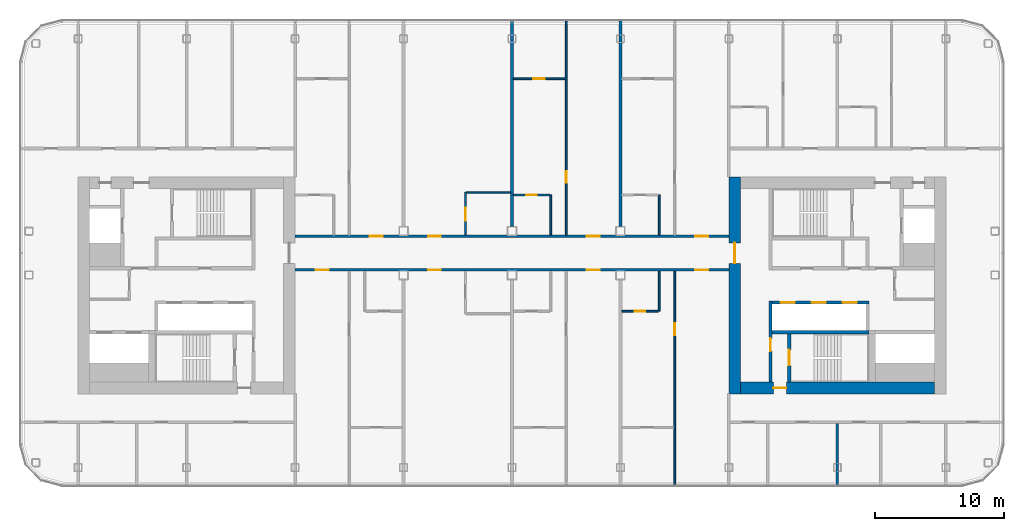
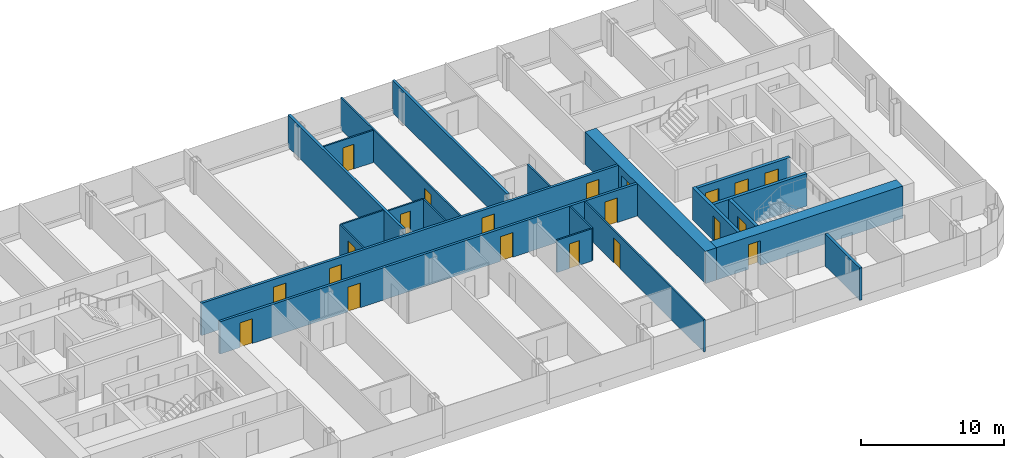
# One storey, part 15 of 26: 21 doors, 21 walls, 21 openings.
"""IFC4 building model written with IfcOpenShell, lengths in metres."""

from ifc_helpers import new_model, si_unit, direction, frame, frame_2d, origin, place, context, subcontext, project, spatial, rectangle, extrude, material, layer, layer_set, type_object, element, fill, save


model = new_model("IFC4")

# Units and contexts
model_context = context("Model", 3, precision=1e-05, world=origin(), true_north=direction((0.0, 1.0)))
body_context = subcontext(model_context, "Body", "Model", "MODEL_VIEW")
ifc_project = project(units=[si_unit("LENGTHUNIT", "METRE"), si_unit("AREAUNIT", "SQUARE_METRE"), si_unit("VOLUMEUNIT", "CUBIC_METRE"), si_unit("PLANEANGLEUNIT", "RADIAN"), si_unit("MASSUNIT", "GRAM", prefix="KILO")], contexts=[model_context])

# Site, building, storey
site_placement = place(None, origin())
site = spatial("IfcSite", under=ifc_project, at=site_placement, CompositionType="ELEMENT")
building_placement = place(site_placement, origin())
building = spatial("IfcBuilding", under=site, at=building_placement, Name="Hakoniwa Tower and Hamabe Station Hall", CompositionType="ELEMENT")
storey_placement = place(building_placement, frame((0.0, 0.0, 199.39990234375)))
storey = spatial("IfcBuildingStorey", under=building, at=storey_placement, Name="L56", CompositionType="ELEMENT", Elevation=199.39990234375)

# Wall, opening, door
ifc_material_1 = material(Name="Gypsum board partition", Category="gypsum")
ifc_layer_1 = layer(ifc_material_1, 0.125)
ifc_layer_set_1 = layer_set([ifc_layer_1], Name="Bathroom Partition 125")
wall_type_1 = type_object("IfcWallType", Name="Bathroom Partition 125", PredefinedType="PARTITIONING", material=ifc_layer_set_1)
wall_1_placement = place(storey_placement, frame((8.5, -2.0, 0.0), z_axis=(0.0, 0.0, 1.0), x_axis=(1.0, 0.0, 0.0)))
wall_1 = element("IfcWall", 1, at=wall_1_placement, inside=storey, type_object=wall_type_1, Name="GW-L56-009", PredefinedType="PARTITIONING", context=body_context, shape_type="SweptSolid", body=[
    extrude(rectangle(XDim=2.83740234375, YDim=0.125, at=frame_2d((1.418701171875, 0.0))), origin(), (0.0, 0.0, 1.0), 2.75),
])
opening_1_placement = place(wall_1_placement, frame((1.0, 0.0, 0.0)))
opening_1 = element("IfcOpeningElement", 2, at=opening_1_placement, cuts=wall_1, Name="Opening GD-G4E0-15", PredefinedType="OPENING", context=body_context, shape_type="SweptSolid", body=[
    extrude(rectangle(XDim=0.800048828125, YDim=2.10009765625, at=frame_2d((0.39990234375, 1.050048828125))), frame((0.0, 0.072509765625, 0.0), z_axis=(0.0, -1.0, 0.0), x_axis=(1.0, 0.0, 0.0)), (0.0, 0.0, 1.0), 0.14501953125),
])
ifc_material_2 = material(Name="Timber door leaf", Category="wood")
door_type_1 = type_object("IfcDoorType", Name="Bathroom Door 800", OperationType="SINGLE_SWING_LEFT", PredefinedType="DOOR", material=ifc_material_2)
door_1_placement = place(opening_1_placement, origin())
door_1 = element("IfcDoor", 3, at=door_1_placement, inside=storey, type_object=door_type_1, Name="Door GD-G4E0-15", OperationType="SINGLE_SWING_RIGHT", OverallHeight=2.10009765625, OverallWidth=0.800048828125, PredefinedType="DOOR", context=body_context, shape_type="SweptSolid", body=[
    extrude(rectangle(XDim=0.800048828125, YDim=2.10009765625, at=frame_2d((0.39990234375, 1.050048828125))), frame((0.0, 0.02490234375, 0.0), z_axis=(0.0, -1.0, 0.0), x_axis=(1.0, 0.0, 0.0)), (0.0, 0.0, 1.0), 0.050048828125),
])
fill(opening_1, door_1)

wall_2_placement = place(storey_placement, frame((0.10009765625, 7.0, 0.0), z_axis=(0.0, 0.0, 1.0), x_axis=(1.0, 0.0, 0.0)))
wall_2 = element("IfcWall", 4, at=wall_2_placement, inside=storey, type_object=wall_type_1, Name="GW-L56-013", PredefinedType="PARTITIONING", context=body_context, shape_type="SweptSolid", body=[
    extrude(rectangle(XDim=2.83740234375, YDim=0.125, at=frame_2d((1.418701171875, 0.0))), origin(), (0.0, 0.0, 1.0), 2.75),
])
opening_2_placement = place(wall_2_placement, frame((1.0, 0.0, 0.0)))
opening_2 = element("IfcOpeningElement", 5, at=opening_2_placement, cuts=wall_2, Name="Opening GD-G4E0-25", PredefinedType="OPENING", context=body_context, shape_type="SweptSolid", body=[
    extrude(rectangle(XDim=0.800048828125, YDim=2.10009765625, at=frame_2d((0.39990234375, 1.050048828125))), frame((0.0, 0.072509765625, 0.0), z_axis=(0.0, -1.0, 0.0), x_axis=(1.0, 0.0, 0.0)), (0.0, 0.0, 1.0), 0.14501953125),
])
door_2_placement = place(opening_2_placement, origin())
door_2 = element("IfcDoor", 6, at=door_2_placement, inside=storey, type_object=door_type_1, Name="Door GD-G4E0-25", OperationType="SINGLE_SWING_RIGHT", OverallHeight=2.10009765625, OverallWidth=0.800048828125, PredefinedType="DOOR", context=body_context, shape_type="SweptSolid", body=[
    extrude(rectangle(XDim=0.800048828125, YDim=2.10009765625, at=frame_2d((0.39990234375, 1.050048828125))), frame((0.0, 0.02490234375, 0.0), z_axis=(0.0, -1.0, 0.0), x_axis=(1.0, 0.0, 0.0)), (0.0, 0.0, 1.0), 0.050048828125),
])
fill(opening_2, door_2)

# Wall
wall_3_placement = place(storey_placement, frame((-3.53759765625, 7.199951171875, 0.0), z_axis=(0.0, 0.0, 1.0), x_axis=(1.0, 0.0, 0.0)))
element("IfcWall", 7, at=wall_3_placement, inside=storey, type_object=wall_type_1, Name="GW-L56-015", PredefinedType="PARTITIONING", context=body_context, shape_type="SweptSolid", body=[
    extrude(rectangle(XDim=3.4375, YDim=0.125, at=frame_2d((1.71875, 0.0))), origin(), (0.0, 0.0, 1.0), 2.75),
])

# Wall, opening, door
wall_4_placement = place(storey_placement, frame((-3.60009765625, 3.89990234375, 0.0), z_axis=(0.0, 0.0, 1.0), x_axis=(0.0, 1.0, 0.0)))
wall_4 = element("IfcWall", 8, at=wall_4_placement, inside=storey, type_object=wall_type_1, Name="GW-L56-039", PredefinedType="PARTITIONING", context=body_context, shape_type="SweptSolid", body=[
    extrude(rectangle(XDim=3.300048828125, YDim=0.125, at=frame_2d((1.64990234375, 0.0))), origin(), (0.0, 0.0, 1.0), 2.75),
])
opening_3_placement = place(wall_4_placement, frame((1.10009765625, 0.0, 0.0)))
opening_3 = element("IfcOpeningElement", 9, at=opening_3_placement, cuts=wall_4, Name="Opening GD-G4E0-43", PredefinedType="OPENING", context=body_context, shape_type="SweptSolid", body=[
    extrude(rectangle(XDim=1.0, YDim=2.10009765625, at=frame_2d((0.5, 1.050048828125))), frame((0.0, 0.072509765625, 0.0), z_axis=(0.0, -1.0, 0.0), x_axis=(1.0, 0.0, 0.0)), (0.0, 0.0, 1.0), 0.14501953125),
])
ifc_material_3 = material(Name="Timber door leaf", Category="wood")
door_type_2 = type_object("IfcDoorType", Name="Accessible Bathroom Door 1000", OperationType="SINGLE_SWING_LEFT", PredefinedType="DOOR", material=ifc_material_3)
door_3_placement = place(opening_3_placement, origin())
door_3 = element("IfcDoor", 10, at=door_3_placement, inside=storey, type_object=door_type_2, Name="Door GD-G4E0-43", OperationType="SINGLE_SWING_RIGHT", OverallHeight=2.10009765625, OverallWidth=1.0, PredefinedType="DOOR", context=body_context, shape_type="SweptSolid", body=[
    extrude(rectangle(XDim=1.0, YDim=2.10009765625, at=frame_2d((0.5, 1.050048828125))), frame((0.0, 0.02490234375, 0.0), z_axis=(0.0, -1.0, 0.0), x_axis=(1.0, 0.0, 0.0)), (0.0, 0.0, 1.0), 0.050048828125),
])
fill(opening_3, door_3)

# Walls
for number, where, z_axis, x_axis, name in (
    (11, (3.0, 3.89990234375, 0.0), (0.0, 0.0, 1.0), (0.0, 1.0, 0.0), "GW-L56-043"),
    (12, (11.39990234375, -2.0, 0.0), (0.0, 0.0, 1.0), (0.0, 1.0, 0.0), "GW-L56-048"),
    (13, (11.39990234375, 3.89990234375, 0.0), (0.0, 0.0, 1.0), (0.0, 1.0, 0.0), "GW-L56-049"),
):
    element("IfcWall", number, at=place(storey_placement, frame(where, z_axis=z_axis, x_axis=x_axis)), inside=storey, type_object=wall_type_1, Name=name, PredefinedType="PARTITIONING", context=body_context, shape_type="SweptSolid", body=[
        extrude(rectangle(XDim=3.10009765625, YDim=0.125, at=frame_2d((1.550048828125, 0.0))), origin(), (0.0, 0.0, 1.0), 2.75),
    ])

# Wall, opening, door
ifc_material_4 = material(Name="Concrete C60", Category="concrete")
ifc_layer_2 = layer(ifc_material_4, 0.89990234375)
ifc_layer_set_2 = layer_set([ifc_layer_2], Name="CORE WALL 900 C60")
wall_type_2 = type_object("IfcWallType", Name="CORE WALL 900 C60", PredefinedType="SHEAR", material=ifc_layer_set_2)
wall_5_placement = place(storey_placement, frame((17.25, -8.39990234375, 0.0), z_axis=(0.0, 0.0, 1.0), x_axis=(0.0, 1.0, 0.0)))
wall_5 = element("IfcWall", 14, at=wall_5_placement, inside=storey, type_object=wall_type_2, Name="Core wall INNER east", PredefinedType="SHEAR", context=body_context, shape_type="SweptSolid", body=[
    extrude(rectangle(XDim=16.7998046875, YDim=0.89990234375, at=frame_2d((8.39990234375, 0.0))), origin(), (0.0, 0.0, 1.0), 2.75),
])
opening_4_placement = place(wall_5_placement, frame((10.10009765625, 0.0, 0.0)))
opening_4 = element("IfcOpeningElement", 15, at=opening_4_placement, cuts=wall_5, Name="Opening CD-E-IN1-16", PredefinedType="OPENING", context=body_context, shape_type="SweptSolid", body=[
    extrude(rectangle(XDim=1.60009765625, YDim=2.10009765625, at=frame_2d((0.800048828125, 1.050048828125))), frame((0.0, 0.4599609375, 0.0), z_axis=(0.0, -1.0, 0.0), x_axis=(1.0, 0.0, 0.0)), (0.0, 0.0, 1.0), 0.919921875),
])
ifc_material_5 = material(Name="Steel fire door", Category="steel")
door_type_3 = type_object("IfcDoorType", Name="CORE DOOR 1600 FD60", OperationType="DOUBLE_DOOR_SINGLE_SWING", PredefinedType="DOOR", material=ifc_material_5)
door_4_placement = place(opening_4_placement, origin())
door_4 = element("IfcDoor", 16, at=door_4_placement, inside=storey, type_object=door_type_3, Name="Lift lobby door", OperationType="DOUBLE_DOOR_SINGLE_SWING", OverallHeight=2.10009765625, OverallWidth=1.60009765625, PredefinedType="DOOR", context=body_context, shape_type="SweptSolid", body=[
    extrude(rectangle(XDim=1.60009765625, YDim=2.10009765625, at=frame_2d((0.800048828125, 1.050048828125))), frame((0.0, 0.02490234375, 0.0), z_axis=(0.0, -1.0, 0.0), x_axis=(1.0, 0.0, 0.0)), (0.0, 0.0, 1.0), 0.050048828125),
])
fill(opening_4, door_4)

wall_6_placement = place(storey_placement, frame((17.699951171875, -7.949951171875, 0.0), z_axis=(0.0, 0.0, 1.0), x_axis=(1.0, 0.0, 0.0)))
wall_6 = element("IfcWall", 17, at=wall_6_placement, inside=storey, type_object=wall_type_2, Name="Core wall SOUTH east", PredefinedType="SHEAR", context=body_context, shape_type="SweptSolid", body=[
    extrude(rectangle(XDim=15.0, YDim=0.89990234375, at=frame_2d((7.5, 0.0))), origin(), (0.0, 0.0, 1.0), 2.75),
])
opening_5_placement = place(wall_6_placement, frame((2.550048828125, 0.0, 0.0)))
opening_5 = element("IfcOpeningElement", 18, at=opening_5_placement, cuts=wall_6, Name="Opening CD-E-FS3-10", PredefinedType="OPENING", context=body_context, shape_type="SweptSolid", body=[
    extrude(rectangle(XDim=1.0, YDim=2.10009765625, at=frame_2d((0.5, 1.050048828125))), frame((0.0, 0.4599609375, 0.0), z_axis=(0.0, -1.0, 0.0), x_axis=(1.0, 0.0, 0.0)), (0.0, 0.0, 1.0), 0.919921875),
])
ifc_material_6 = material(Name="Steel fire door", Category="steel")
door_type_4 = type_object("IfcDoorType", Name="CORE DOOR 1000 FD60", OperationType="NOTDEFINED", PredefinedType="DOOR", material=ifc_material_6)
door_5_placement = place(opening_5_placement, origin())
door_5 = element("IfcDoor", 19, at=door_5_placement, inside=storey, type_object=door_type_4, Name="Stair vestibule door", OperationType="SINGLE_SWING_RIGHT", OverallHeight=2.10009765625, OverallWidth=1.0, PredefinedType="DOOR", context=body_context, shape_type="SweptSolid", body=[
    extrude(rectangle(XDim=1.0, YDim=2.10009765625, at=frame_2d((0.5, 1.050048828125))), frame((0.0, 0.02490234375, 0.0), z_axis=(0.0, -1.0, 0.0), x_axis=(1.0, 0.0, 0.0)), (0.0, 0.0, 1.0), 0.050048828125),
])
fill(opening_5, door_5)

ifc_material_7 = material(Name="Concrete C60", Category="concrete")
ifc_layer_3 = layer(ifc_material_7, 0.25)
ifc_layer_set_3 = layer_set([ifc_layer_3], Name="CORE WEB WALL 250 C60")
wall_type_3 = type_object("IfcWallType", Name="CORE WEB WALL 250 C60", PredefinedType="SHEAR", material=ifc_layer_set_3)
wall_7_placement = place(storey_placement, frame((20.02490234375, -7.5, 0.0), z_axis=(0.0, 0.0, 1.0), x_axis=(0.0, 1.0, 0.0)))
wall_7 = element("IfcWall", 20, at=wall_7_placement, inside=storey, type_object=wall_type_3, Name="Core wall W1S east", PredefinedType="SHEAR", context=body_context, shape_type="SweptSolid", body=[
    extrude(rectangle(XDim=6.300048828125, YDim=0.25, at=frame_2d((3.14990234375, 0.0))), origin(), (0.0, 0.0, 1.0), 2.75),
])
opening_6_placement = place(wall_7_placement, frame((2.39990234375, 0.0, 0.0)))
opening_6 = element("IfcOpeningElement", 21, at=opening_6_placement, cuts=wall_7, Name="Opening CD-E-VS-10", PredefinedType="OPENING", context=body_context, shape_type="SweptSolid", body=[
    extrude(rectangle(XDim=1.0, YDim=2.10009765625, at=frame_2d((0.5, 1.050048828125))), frame((0.0, 0.135009765625, 0.0), z_axis=(0.0, -1.0, 0.0), x_axis=(1.0, 0.0, 0.0)), (0.0, 0.0, 1.0), 0.27001953125),
])
door_6_placement = place(opening_6_placement, origin())
door_6 = element("IfcDoor", 22, at=door_6_placement, inside=storey, type_object=door_type_4, Name="Stair vestibule door", OperationType="SINGLE_SWING_RIGHT", OverallHeight=2.10009765625, OverallWidth=1.0, PredefinedType="DOOR", context=body_context, shape_type="SweptSolid", body=[
    extrude(rectangle(XDim=1.0, YDim=2.10009765625, at=frame_2d((0.5, 1.050048828125))), frame((0.0, 0.02490234375, 0.0), z_axis=(0.0, -1.0, 0.0), x_axis=(1.0, 0.0, 0.0)), (0.0, 0.0, 1.0), 0.050048828125),
])
fill(opening_6, door_6)

# Wall, openings, doors
wall_8_placement = place(storey_placement, frame((20.14990234375, -1.324951171875, 0.0), z_axis=(0.0, 0.0, 1.0), x_axis=(1.0, 0.0, 0.0)))
wall_8 = element("IfcWall", 23, at=wall_8_placement, inside=storey, type_object=wall_type_3, Name="Core wall SF east", PredefinedType="SHEAR", context=body_context, shape_type="SweptSolid", body=[
    extrude(rectangle(XDim=7.5, YDim=0.25, at=frame_2d((3.75, 0.0))), origin(), (0.0, 0.0, 1.0), 2.75),
])
opening_7_placement = place(wall_8_placement, frame((0.64990234375, 0.0, 0.0)))
opening_7 = element("IfcOpeningElement", 24, at=opening_7_placement, cuts=wall_8, Name="Opening LD-HR4", PredefinedType="OPENING", context=body_context, shape_type="SweptSolid", body=[
    extrude(rectangle(XDim=1.10009765625, YDim=2.10009765625, at=frame_2d((0.550048828125, 1.050048828125))), frame((0.0, 0.135009765625, 0.0), z_axis=(0.0, -1.0, 0.0), x_axis=(1.0, 0.0, 0.0)), (0.0, 0.0, 1.0), 0.27001953125),
])
opening_8_placement = place(wall_8_placement, frame((3.050048828125, 0.0, 0.0)))
opening_8 = element("IfcOpeningElement", 25, at=opening_8_placement, cuts=wall_8, Name="Opening LD-HR5", PredefinedType="OPENING", context=body_context, shape_type="SweptSolid", body=[
    extrude(rectangle(XDim=1.10009765625, YDim=2.10009765625, at=frame_2d((0.550048828125, 1.050048828125))), frame((0.0, 0.135009765625, 0.0), z_axis=(0.0, -1.0, 0.0), x_axis=(1.0, 0.0, 0.0)), (0.0, 0.0, 1.0), 0.27001953125),
])
opening_9_placement = place(wall_8_placement, frame((5.449951171875, 0.0, 0.0)))
opening_9 = element("IfcOpeningElement", 26, at=opening_9_placement, cuts=wall_8, Name="Opening LD-HR6", PredefinedType="OPENING", context=body_context, shape_type="SweptSolid", body=[
    extrude(rectangle(XDim=1.10009765625, YDim=2.10009765625, at=frame_2d((0.550048828125, 1.050048828125))), frame((0.0, 0.135009765625, 0.0), z_axis=(0.0, -1.0, 0.0), x_axis=(1.0, 0.0, 0.0)), (0.0, 0.0, 1.0), 0.27001953125),
])
ifc_material_8 = material(Name="Stainless steel SUS304", Category="steel")
door_type_5 = type_object("IfcDoorType", Name="LIFT LANDING DOOR 1100 FD60", OperationType="DOUBLE_DOOR_SLIDING", PredefinedType="DOOR", material=ifc_material_8)
door_7_placement = place(opening_7_placement, origin())
door_7 = element("IfcDoor", 27, at=door_7_placement, inside=storey, type_object=door_type_5, Name="Lift landing door HR4 L56", OperationType="DOUBLE_DOOR_SLIDING", OverallHeight=2.10009765625, OverallWidth=1.10009765625, PredefinedType="DOOR", context=body_context, shape_type="SweptSolid", body=[
    extrude(rectangle(XDim=1.10009765625, YDim=2.10009765625, at=frame_2d((0.550048828125, 1.050048828125))), frame((0.0, 0.02490234375, 0.0), z_axis=(0.0, -1.0, 0.0), x_axis=(1.0, 0.0, 0.0)), (0.0, 0.0, 1.0), 0.050048828125),
])
fill(opening_7, door_7)
door_8_placement = place(opening_8_placement, origin())
door_8 = element("IfcDoor", 28, at=door_8_placement, inside=storey, type_object=door_type_5, Name="Lift landing door HR5 L56", OperationType="DOUBLE_DOOR_SLIDING", OverallHeight=2.10009765625, OverallWidth=1.10009765625, PredefinedType="DOOR", context=body_context, shape_type="SweptSolid", body=[
    extrude(rectangle(XDim=1.10009765625, YDim=2.10009765625, at=frame_2d((0.550048828125, 1.050048828125))), frame((0.0, 0.02490234375, 0.0), z_axis=(0.0, -1.0, 0.0), x_axis=(1.0, 0.0, 0.0)), (0.0, 0.0, 1.0), 0.050048828125),
])
fill(opening_8, door_8)
door_9_placement = place(opening_9_placement, origin())
door_9 = element("IfcDoor", 29, at=door_9_placement, inside=storey, type_object=door_type_5, Name="Lift landing door HR6 L56", OperationType="DOUBLE_DOOR_SLIDING", OverallHeight=2.10009765625, OverallWidth=1.10009765625, PredefinedType="DOOR", context=body_context, shape_type="SweptSolid", body=[
    extrude(rectangle(XDim=1.10009765625, YDim=2.10009765625, at=frame_2d((0.550048828125, 1.050048828125))), frame((0.0, 0.02490234375, 0.0), z_axis=(0.0, -1.0, 0.0), x_axis=(1.0, 0.0, 0.0)), (0.0, 0.0, 1.0), 0.050048828125),
])
fill(opening_9, door_9)

# Wall
wall_9_placement = place(storey_placement, frame((20.14990234375, -3.625, 0.0), z_axis=(0.0, 0.0, 1.0), x_axis=(1.0, 0.0, 0.0)))
element("IfcWall", 30, at=wall_9_placement, inside=storey, type_object=wall_type_3, Name="Core wall SR east", PredefinedType="SHEAR", context=body_context, shape_type="SweptSolid", body=[
    extrude(rectangle(XDim=7.5, YDim=0.25, at=frame_2d((3.75, 0.0))), origin(), (0.0, 0.0, 1.0), 2.75),
])

# Wall, opening, door
wall_10_placement = place(storey_placement, frame((21.47509765625, -7.5, 0.0), z_axis=(0.0, 0.0, 1.0), x_axis=(0.0, 1.0, 0.0)))
wall_10 = element("IfcWall", 31, at=wall_10_placement, inside=storey, type_object=wall_type_3, Name="Core wall VE east", PredefinedType="SHEAR", context=body_context, shape_type="SweptSolid", body=[
    extrude(rectangle(XDim=3.75, YDim=0.25, at=frame_2d((1.875, 0.0))), origin(), (0.0, 0.0, 1.0), 2.75),
])
opening_10_placement = place(wall_10_placement, frame((1.300048828125, 0.0, 0.0)))
opening_10 = element("IfcOpeningElement", 32, at=opening_10_placement, cuts=wall_10, Name="Opening CD-E-SS-12", PredefinedType="OPENING", context=body_context, shape_type="SweptSolid", body=[
    extrude(rectangle(XDim=1.199951171875, YDim=2.10009765625, at=frame_2d((0.60009765625, 1.050048828125))), frame((0.0, 0.135009765625, 0.0), z_axis=(0.0, -1.0, 0.0), x_axis=(1.0, 0.0, 0.0)), (0.0, 0.0, 1.0), 0.27001953125),
])
ifc_material_9 = material(Name="Steel fire door", Category="steel")
door_type_6 = type_object("IfcDoorType", Name="CORE DOOR 1200 FD60", OperationType="DOUBLE_DOOR_SINGLE_SWING", PredefinedType="DOOR", material=ifc_material_9)
door_10_placement = place(opening_10_placement, origin())
door_10 = element("IfcDoor", 33, at=door_10_placement, inside=storey, type_object=door_type_6, Name="Escape stair door", OperationType="DOUBLE_DOOR_SINGLE_SWING", OverallHeight=2.10009765625, OverallWidth=1.199951171875, PredefinedType="DOOR", context=body_context, shape_type="SweptSolid", body=[
    extrude(rectangle(XDim=1.199951171875, YDim=2.10009765625, at=frame_2d((0.60009765625, 1.050048828125))), frame((0.0, 0.02490234375, 0.0), z_axis=(0.0, -1.0, 0.0), x_axis=(1.0, 0.0, 0.0)), (0.0, 0.0, 1.0), 0.050048828125),
])
fill(opening_10, door_10)

# Wall, openings, doors
ifc_material_10 = material(Name="Fire-rated gypsum board partition", Category="gypsum")
ifc_layer_4 = layer(ifc_material_10, 0.199951171875)
ifc_layer_set_4 = layer_set([ifc_layer_4], Name="Corridor Wall 200")
wall_type_4 = type_object("IfcWallType", Name="Corridor Wall 200", PredefinedType="PARTITIONING", material=ifc_layer_set_4)
wall_11_placement = place(storey_placement, frame((-16.800048828125, 1.199951171875, 0.0), z_axis=(0.0, 0.0, 1.0), x_axis=(1.0, 0.0, 0.0)))
wall_11 = element("IfcWall", 34, at=wall_11_placement, inside=storey, type_object=wall_type_4, Name="GW-L56-010", PredefinedType="PARTITIONING", context=body_context, shape_type="SweptSolid", body=[
    extrude(rectangle(XDim=33.60009765625, YDim=0.199951171875, at=frame_2d((16.800048828125, 0.0))), origin(), (0.0, 0.0, 1.0), 2.75),
])
opening_11_placement = place(wall_11_placement, frame((1.60009765625, 0.0, 0.0)))
opening_11 = element("IfcOpeningElement", 35, at=opening_11_placement, cuts=wall_11, Name="Opening GD-G4E0-16", PredefinedType="OPENING", context=body_context, shape_type="SweptSolid", body=[
    extrude(rectangle(XDim=1.0, YDim=2.10009765625, at=frame_2d((0.5, 1.050048828125))), frame((0.0, 0.10986328125, 0.0), z_axis=(0.0, -1.0, 0.0), x_axis=(1.0, 0.0, 0.0)), (0.0, 0.0, 1.0), 0.219970703125),
])
opening_12_placement = place(wall_11_placement, frame((10.300048828125, 0.0, 0.0)))
opening_12 = element("IfcOpeningElement", 36, at=opening_12_placement, cuts=wall_11, Name="Opening GD-G4E0-17", PredefinedType="OPENING", context=body_context, shape_type="SweptSolid", body=[
    extrude(rectangle(XDim=1.0, YDim=2.10009765625, at=frame_2d((0.5, 1.050048828125))), frame((0.0, 0.10986328125, 0.0), z_axis=(0.0, -1.0, 0.0), x_axis=(1.0, 0.0, 0.0)), (0.0, 0.0, 1.0), 0.219970703125),
])
opening_13_placement = place(wall_11_placement, frame((22.60009765625, 0.0, 0.0)))
opening_13 = element("IfcOpeningElement", 37, at=opening_13_placement, cuts=wall_11, Name="Opening GD-G4E0-18", PredefinedType="OPENING", context=body_context, shape_type="SweptSolid", body=[
    extrude(rectangle(XDim=1.0, YDim=2.10009765625, at=frame_2d((0.5, 1.050048828125))), frame((0.0, 0.10986328125, 0.0), z_axis=(0.0, -1.0, 0.0), x_axis=(1.0, 0.0, 0.0)), (0.0, 0.0, 1.0), 0.219970703125),
])
opening_14_placement = place(wall_11_placement, frame((31.0, 0.0, 0.0)))
opening_14 = element("IfcOpeningElement", 38, at=opening_14_placement, cuts=wall_11, Name="Opening GD-G4E0-19", PredefinedType="OPENING", context=body_context, shape_type="SweptSolid", body=[
    extrude(rectangle(XDim=1.0, YDim=2.10009765625, at=frame_2d((0.5, 1.050048828125))), frame((0.0, 0.10986328125, 0.0), z_axis=(0.0, -1.0, 0.0), x_axis=(1.0, 0.0, 0.0)), (0.0, 0.0, 1.0), 0.219970703125),
])
ifc_material_11 = material(Name="Timber door leaf", Category="wood")
door_type_7 = type_object("IfcDoorType", Name="Accessible Guest Entrance Door 1000", OperationType="SINGLE_SWING_LEFT", PredefinedType="DOOR", material=ifc_material_11)
door_11_placement = place(opening_12_placement, origin())
door_11 = element("IfcDoor", 39, at=door_11_placement, inside=storey, type_object=door_type_7, Name="Door GD-G4E0-17", OperationType="SINGLE_SWING_LEFT", OverallHeight=2.10009765625, OverallWidth=1.0, PredefinedType="DOOR", context=body_context, shape_type="SweptSolid", body=[
    extrude(rectangle(XDim=1.0, YDim=2.10009765625, at=frame_2d((0.5, 1.050048828125))), frame((0.0, 0.02490234375, 0.0), z_axis=(0.0, -1.0, 0.0), x_axis=(1.0, 0.0, 0.0)), (0.0, 0.0, 1.0), 0.050048828125),
])
fill(opening_12, door_11)
ifc_material_12 = material(Name="Timber door leaf", Category="wood")
door_type_8 = type_object("IfcDoorType", Name="Guest Entrance Door 1000", OperationType="SINGLE_SWING_LEFT", PredefinedType="DOOR", material=ifc_material_12)
door_12_placement = place(opening_11_placement, origin())
door_12 = element("IfcDoor", 40, at=door_12_placement, inside=storey, type_object=door_type_8, Name="Door GD-G4E0-16", OperationType="SINGLE_SWING_RIGHT", OverallHeight=2.10009765625, OverallWidth=1.0, PredefinedType="DOOR", context=body_context, shape_type="SweptSolid", body=[
    extrude(rectangle(XDim=1.0, YDim=2.10009765625, at=frame_2d((0.5, 1.050048828125))), frame((0.0, 0.02490234375, 0.0), z_axis=(0.0, -1.0, 0.0), x_axis=(1.0, 0.0, 0.0)), (0.0, 0.0, 1.0), 0.050048828125),
])
fill(opening_11, door_12)
door_13_placement = place(opening_13_placement, origin())
door_13 = element("IfcDoor", 41, at=door_13_placement, inside=storey, type_object=door_type_8, Name="Door GD-G4E0-18", OperationType="SINGLE_SWING_LEFT", OverallHeight=2.10009765625, OverallWidth=1.0, PredefinedType="DOOR", context=body_context, shape_type="SweptSolid", body=[
    extrude(rectangle(XDim=1.0, YDim=2.10009765625, at=frame_2d((0.5, 1.050048828125))), frame((0.0, 0.02490234375, 0.0), z_axis=(0.0, -1.0, 0.0), x_axis=(1.0, 0.0, 0.0)), (0.0, 0.0, 1.0), 0.050048828125),
])
fill(opening_13, door_13)
door_14_placement = place(opening_14_placement, origin())
door_14 = element("IfcDoor", 42, at=door_14_placement, inside=storey, type_object=door_type_8, Name="Door GD-G4E0-19", OperationType="SINGLE_SWING_LEFT", OverallHeight=2.10009765625, OverallWidth=1.0, PredefinedType="DOOR", context=body_context, shape_type="SweptSolid", body=[
    extrude(rectangle(XDim=1.0, YDim=2.10009765625, at=frame_2d((0.5, 1.050048828125))), frame((0.0, 0.02490234375, 0.0), z_axis=(0.0, -1.0, 0.0), x_axis=(1.0, 0.0, 0.0)), (0.0, 0.0, 1.0), 0.050048828125),
])
fill(opening_14, door_14)

wall_12_placement = place(storey_placement, frame((-16.800048828125, 3.800048828125, 0.0), z_axis=(0.0, 0.0, 1.0), x_axis=(1.0, 0.0, 0.0)))
wall_12 = element("IfcWall", 43, at=wall_12_placement, inside=storey, type_object=wall_type_4, Name="GW-L56-011", PredefinedType="PARTITIONING", context=body_context, shape_type="SweptSolid", body=[
    extrude(rectangle(XDim=33.60009765625, YDim=0.199951171875, at=frame_2d((16.800048828125, 0.0))), origin(), (0.0, 0.0, 1.0), 2.75),
])
opening_15_placement = place(wall_12_placement, frame((5.800048828125, 0.0, 0.0)))
opening_15 = element("IfcOpeningElement", 44, at=opening_15_placement, cuts=wall_12, Name="Opening GD-G4E0-20", PredefinedType="OPENING", context=body_context, shape_type="SweptSolid", body=[
    extrude(rectangle(XDim=1.0, YDim=2.10009765625, at=frame_2d((0.5, 1.050048828125))), frame((0.0, 0.10986328125, 0.0), z_axis=(0.0, -1.0, 0.0), x_axis=(1.0, 0.0, 0.0)), (0.0, 0.0, 1.0), 0.219970703125),
])
opening_16_placement = place(wall_12_placement, frame((10.300048828125, 0.0, 0.0)))
opening_16 = element("IfcOpeningElement", 45, at=opening_16_placement, cuts=wall_12, Name="Opening GD-G4E0-21", PredefinedType="OPENING", context=body_context, shape_type="SweptSolid", body=[
    extrude(rectangle(XDim=1.0, YDim=2.10009765625, at=frame_2d((0.5, 1.050048828125))), frame((0.0, 0.10986328125, 0.0), z_axis=(0.0, -1.0, 0.0), x_axis=(1.0, 0.0, 0.0)), (0.0, 0.0, 1.0), 0.219970703125),
])
opening_17_placement = place(wall_12_placement, frame((22.60009765625, 0.0, 0.0)))
opening_17 = element("IfcOpeningElement", 46, at=opening_17_placement, cuts=wall_12, Name="Opening GD-G4E0-22", PredefinedType="OPENING", context=body_context, shape_type="SweptSolid", body=[
    extrude(rectangle(XDim=1.0, YDim=2.10009765625, at=frame_2d((0.5, 1.050048828125))), frame((0.0, 0.10986328125, 0.0), z_axis=(0.0, -1.0, 0.0), x_axis=(1.0, 0.0, 0.0)), (0.0, 0.0, 1.0), 0.219970703125),
])
opening_18_placement = place(wall_12_placement, frame((31.0, 0.0, 0.0)))
opening_18 = element("IfcOpeningElement", 47, at=opening_18_placement, cuts=wall_12, Name="Opening GD-G4E0-23", PredefinedType="OPENING", context=body_context, shape_type="SweptSolid", body=[
    extrude(rectangle(XDim=1.0, YDim=2.10009765625, at=frame_2d((0.5, 1.050048828125))), frame((0.0, 0.10986328125, 0.0), z_axis=(0.0, -1.0, 0.0), x_axis=(1.0, 0.0, 0.0)), (0.0, 0.0, 1.0), 0.219970703125),
])
door_15_placement = place(opening_16_placement, origin())
door_15 = element("IfcDoor", 48, at=door_15_placement, inside=storey, type_object=door_type_7, Name="Door GD-G4E0-21", OperationType="SINGLE_SWING_LEFT", OverallHeight=2.10009765625, OverallWidth=1.0, PredefinedType="DOOR", context=body_context, shape_type="SweptSolid", body=[
    extrude(rectangle(XDim=1.0, YDim=2.10009765625, at=frame_2d((0.5, 1.050048828125))), frame((0.0, 0.02490234375, 0.0), z_axis=(0.0, -1.0, 0.0), x_axis=(1.0, 0.0, 0.0)), (0.0, 0.0, 1.0), 0.050048828125),
])
fill(opening_16, door_15)
door_16_placement = place(opening_15_placement, origin())
door_16 = element("IfcDoor", 49, at=door_16_placement, inside=storey, type_object=door_type_8, Name="Door GD-G4E0-20", OperationType="SINGLE_SWING_RIGHT", OverallHeight=2.10009765625, OverallWidth=1.0, PredefinedType="DOOR", context=body_context, shape_type="SweptSolid", body=[
    extrude(rectangle(XDim=1.0, YDim=2.10009765625, at=frame_2d((0.5, 1.050048828125))), frame((0.0, 0.02490234375, 0.0), z_axis=(0.0, -1.0, 0.0), x_axis=(1.0, 0.0, 0.0)), (0.0, 0.0, 1.0), 0.050048828125),
])
fill(opening_15, door_16)
door_17_placement = place(opening_17_placement, origin())
door_17 = element("IfcDoor", 50, at=door_17_placement, inside=storey, type_object=door_type_8, Name="Door GD-G4E0-22", OperationType="SINGLE_SWING_RIGHT", OverallHeight=2.10009765625, OverallWidth=1.0, PredefinedType="DOOR", context=body_context, shape_type="SweptSolid", body=[
    extrude(rectangle(XDim=1.0, YDim=2.10009765625, at=frame_2d((0.5, 1.050048828125))), frame((0.0, 0.02490234375, 0.0), z_axis=(0.0, -1.0, 0.0), x_axis=(1.0, 0.0, 0.0)), (0.0, 0.0, 1.0), 0.050048828125),
])
fill(opening_17, door_17)
door_18_placement = place(opening_18_placement, origin())
door_18 = element("IfcDoor", 51, at=door_18_placement, inside=storey, type_object=door_type_8, Name="Door GD-G4E0-23", OperationType="SINGLE_SWING_RIGHT", OverallHeight=2.10009765625, OverallWidth=1.0, PredefinedType="DOOR", context=body_context, shape_type="SweptSolid", body=[
    extrude(rectangle(XDim=1.0, YDim=2.10009765625, at=frame_2d((0.5, 1.050048828125))), frame((0.0, 0.02490234375, 0.0), z_axis=(0.0, -1.0, 0.0), x_axis=(1.0, 0.0, 0.0)), (0.0, 0.0, 1.0), 0.050048828125),
])
fill(opening_18, door_18)

# Walls
ifc_material_13 = material(Name="Fire-rated gypsum board partition", Category="gypsum")
ifc_layer_5 = layer(ifc_material_13, 0.199951171875)
ifc_layer_set_5 = layer_set([ifc_layer_5], Name="Party Wall 200")
wall_type_5 = type_object("IfcWallType", Name="Party Wall 200", PredefinedType="PARTITIONING", material=ifc_layer_set_5)
for number, where, z_axis, x_axis, name in (
    (52, (0.0, 4.5400390625, 0.0), (0.0, 0.0, 1.0), (0.0, 1.0, 0.0), "GW-L56-041"),
    (53, (8.39990234375, 4.5400390625, 0.0), (0.0, 0.0, 1.0), (0.0, 1.0, 0.0), "GW-L56-047"),
):
    element("IfcWall", number, at=place(storey_placement, frame(where, z_axis=z_axis, x_axis=x_axis)), inside=storey, type_object=wall_type_5, Name=name, PredefinedType="PARTITIONING", context=body_context, shape_type="SweptSolid", body=[
        extrude(rectangle(XDim=16.010009765625, YDim=0.199951171875, at=frame_2d((8.0048828125, 0.0))), origin(), (0.0, 0.0, 1.0), 2.75),
    ])
wall_13_placement = place(storey_placement, frame((25.199951171875, -15.550048828125, 0.0), z_axis=(0.0, 0.0, 1.0), x_axis=(0.0, 1.0, 0.0)))
element("IfcWall", 54, at=wall_13_placement, inside=storey, type_object=wall_type_5, Name="GW-L56-057", PredefinedType="PARTITIONING", context=body_context, shape_type="SweptSolid", body=[
    extrude(rectangle(XDim=4.85009765625, YDim=0.199951171875, at=frame_2d((2.425048828125, 0.0))), origin(), (0.0, 0.0, 1.0), 2.75),
])

# Wall, opening, door
ifc_material_14 = material(Name="Gypsum board partition", Category="gypsum")
ifc_layer_6 = layer(ifc_material_14, 0.125)
ifc_layer_set_6 = layer_set([ifc_layer_6], Name="Room Partition 125")
wall_type_6 = type_object("IfcWallType", Name="Room Partition 125", PredefinedType="PARTITIONING", material=ifc_layer_set_6)
wall_14_placement = place(storey_placement, frame((0.10009765625, 16.0, 0.0), z_axis=(0.0, 0.0, 1.0), x_axis=(1.0, 0.0, 0.0)))
wall_14 = element("IfcWall", 55, at=wall_14_placement, inside=storey, type_object=wall_type_6, Name="GW-L56-021", PredefinedType="PARTITIONING", context=body_context, shape_type="SweptSolid", body=[
    extrude(rectangle(XDim=4.037353515625, YDim=0.125, at=frame_2d((2.0185546875, 0.0))), origin(), (0.0, 0.0, 1.0), 2.75),
])
opening_19_placement = place(wall_14_placement, frame((1.550048828125, 0.0, 0.0)))
opening_19 = element("IfcOpeningElement", 56, at=opening_19_placement, cuts=wall_14, Name="Opening GD-G4E0-38", PredefinedType="OPENING", context=body_context, shape_type="SweptSolid", body=[
    extrude(rectangle(XDim=0.89990234375, YDim=2.10009765625, at=frame_2d((0.449951171875, 1.050048828125))), frame((0.0, 0.072509765625, 0.0), z_axis=(0.0, -1.0, 0.0), x_axis=(1.0, 0.0, 0.0)), (0.0, 0.0, 1.0), 0.14501953125),
])
ifc_material_15 = material(Name="Timber door leaf", Category="wood")
door_type_9 = type_object("IfcDoorType", Name="Suite Interior Door 900", OperationType="SINGLE_SWING_LEFT", PredefinedType="DOOR", material=ifc_material_15)
door_19_placement = place(opening_19_placement, origin())
door_19 = element("IfcDoor", 57, at=door_19_placement, inside=storey, type_object=door_type_9, Name="Door GD-G4E0-38", OperationType="SINGLE_SWING_LEFT", OverallHeight=2.10009765625, OverallWidth=0.89990234375, PredefinedType="DOOR", context=body_context, shape_type="SweptSolid", body=[
    extrude(rectangle(XDim=0.89990234375, YDim=2.10009765625, at=frame_2d((0.449951171875, 1.050048828125))), frame((0.0, 0.02490234375, 0.0), z_axis=(0.0, -1.0, 0.0), x_axis=(1.0, 0.0, 0.0)), (0.0, 0.0, 1.0), 0.050048828125),
])
fill(opening_19, door_19)

wall_15_placement = place(storey_placement, frame((4.199951171875, 3.89990234375, 0.0), z_axis=(0.0, 0.0, 1.0), x_axis=(0.0, 1.0, 0.0)))
wall_15 = element("IfcWall", 58, at=wall_15_placement, inside=storey, type_object=wall_type_6, Name="GW-L56-045", PredefinedType="PARTITIONING", context=body_context, shape_type="SweptSolid", body=[
    extrude(rectangle(XDim=16.650146484375, YDim=0.125, at=frame_2d((8.3251953125, 0.0))), origin(), (0.0, 0.0, 1.0), 2.75),
])
opening_20_placement = place(wall_15_placement, frame((4.050048828125, 0.0, 0.0)))
opening_20 = element("IfcOpeningElement", 59, at=opening_20_placement, cuts=wall_15, Name="Opening GD-G4E0-45", PredefinedType="OPENING", context=body_context, shape_type="SweptSolid", body=[
    extrude(rectangle(XDim=0.89990234375, YDim=2.10009765625, at=frame_2d((0.449951171875, 1.050048828125))), frame((0.0, 0.072509765625, 0.0), z_axis=(0.0, -1.0, 0.0), x_axis=(1.0, 0.0, 0.0)), (0.0, 0.0, 1.0), 0.14501953125),
])
door_20_placement = place(opening_20_placement, origin())
door_20 = element("IfcDoor", 60, at=door_20_placement, inside=storey, type_object=door_type_9, Name="Door GD-G4E0-45", OperationType="SINGLE_SWING_LEFT", OverallHeight=2.10009765625, OverallWidth=0.89990234375, PredefinedType="DOOR", context=body_context, shape_type="SweptSolid", body=[
    extrude(rectangle(XDim=0.89990234375, YDim=2.10009765625, at=frame_2d((0.449951171875, 1.050048828125))), frame((0.0, 0.02490234375, 0.0), z_axis=(0.0, -1.0, 0.0), x_axis=(1.0, 0.0, 0.0)), (0.0, 0.0, 1.0), 0.050048828125),
])
fill(opening_20, door_20)

wall_16_placement = place(storey_placement, frame((12.60009765625, -15.550048828125, 0.0), z_axis=(0.0, 0.0, 1.0), x_axis=(0.0, 1.0, 0.0)))
wall_16 = element("IfcWall", 61, at=wall_16_placement, inside=storey, type_object=wall_type_6, Name="GW-L56-050", PredefinedType="PARTITIONING", context=body_context, shape_type="SweptSolid", body=[
    extrude(rectangle(XDim=16.650146484375, YDim=0.125, at=frame_2d((8.3251953125, 0.0))), origin(), (0.0, 0.0, 1.0), 2.75),
])
opening_21_placement = place(wall_16_placement, frame((11.699951171875, 0.0, 0.0)))
opening_21 = element("IfcOpeningElement", 62, at=opening_21_placement, cuts=wall_16, Name="Opening GD-G4E0-46", PredefinedType="OPENING", context=body_context, shape_type="SweptSolid", body=[
    extrude(rectangle(XDim=0.89990234375, YDim=2.10009765625, at=frame_2d((0.449951171875, 1.050048828125))), frame((0.0, 0.072509765625, 0.0), z_axis=(0.0, -1.0, 0.0), x_axis=(1.0, 0.0, 0.0)), (0.0, 0.0, 1.0), 0.14501953125),
])
door_21_placement = place(opening_21_placement, origin())
door_21 = element("IfcDoor", 63, at=door_21_placement, inside=storey, type_object=door_type_9, Name="Door GD-G4E0-46", OperationType="SINGLE_SWING_RIGHT", OverallHeight=2.10009765625, OverallWidth=0.89990234375, PredefinedType="DOOR", context=body_context, shape_type="SweptSolid", body=[
    extrude(rectangle(XDim=0.89990234375, YDim=2.10009765625, at=frame_2d((0.449951171875, 1.050048828125))), frame((0.0, 0.02490234375, 0.0), z_axis=(0.0, -1.0, 0.0), x_axis=(1.0, 0.0, 0.0)), (0.0, 0.0, 1.0), 0.050048828125),
])
fill(opening_21, door_21)

save(model, "model.ifc")
